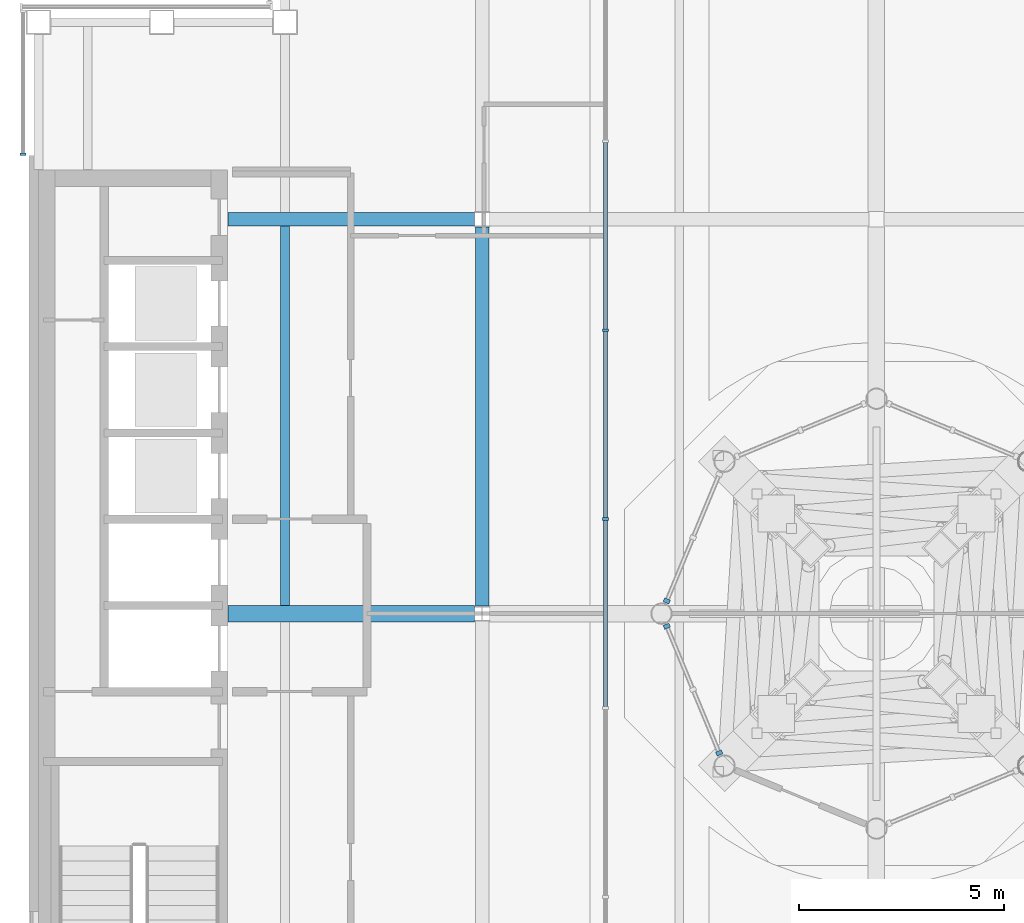
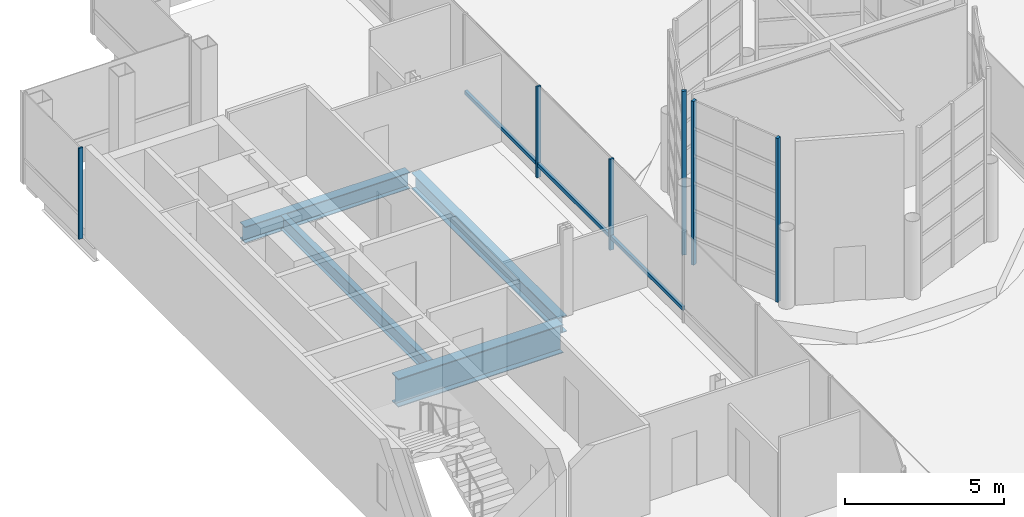
# One storey, part 7 of 32: 9 members, 4 beams, 4 elements without a shape of their own.
"""IFC4 building model written with IfcOpenShell, lengths in metres."""

from ifc_helpers import new_model, si_unit, direction, frame, origin, origin_2d, place, context, subcontext, project, spatial, rectangle, i_section, extrude, material, material_profile, profile_set, type_object, element, aggregate, save


model = new_model("IFC4")

# Units and contexts
model_context = context("Model", 3, precision=1e-05, world=origin(), true_north=direction((0.0, 1.0)))
body_context = subcontext(model_context, "Body", "Model", "MODEL_VIEW")
ifc_project = project(units=[si_unit("LENGTHUNIT", "METRE"), si_unit("AREAUNIT", "SQUARE_METRE"), si_unit("VOLUMEUNIT", "CUBIC_METRE"), si_unit("PLANEANGLEUNIT", "RADIAN"), si_unit("MASSUNIT", "GRAM", prefix="KILO")], contexts=[model_context])

# Site, building, storey
site_placement = place(None, origin())
site = spatial("IfcSite", under=ifc_project, at=site_placement, CompositionType="ELEMENT")
building_placement = place(site_placement, origin())
building = spatial("IfcBuilding", under=site, at=building_placement, Name="Cobrizo Arcos Hotel Tower", CompositionType="ELEMENT")
storey_placement = place(building_placement, frame((0.0, 0.0, 265.5)))
storey = spatial("IfcBuildingStorey", under=building, at=storey_placement, Name="L70", CompositionType="ELEMENT", Elevation=265.5)

# Curtain wall, member
ifc_material_1 = material(Name="Aluminium 6063-T6 anodised bronze", Category="aluminium")
curtain_wall_type_1 = type_object("IfcCurtainWallType", Name="CW-A guest facade", PredefinedType="NOTDEFINED", material=ifc_material_1)
curtain_wall_1_placement = place(storey_placement, origin())
curtain_wall_1 = element("IfcCurtainWall", 1, at=curtain_wall_1_placement, inside=storey, type_object=curtain_wall_type_1, Name="CW-A L70 W face", PredefinedType="NOTDEFINED")
ifc_material_profile_1 = material_profile(ifc_material_1, rectangle(XDim=0.14990234375, YDim=0.06005859375, at=origin_2d()), Name="CW-A mullion 150x60")
ifc_profile_set_1 = profile_set([ifc_material_profile_1], Name="Aluminium 6063-T6 anodised bronze")
member_type_1 = type_object("IfcMemberType", Name="CW-A mullion 150x60", PredefinedType="MULLION", material=ifc_profile_set_1)
member_1_placement = place(storey_placement, frame((-20.77490234375, 11.179931640625, 0.0), z_axis=(0.0, 0.0, 1.0), x_axis=(-1.0, 0.0, 0.0)))
member_1 = element("IfcMember", 2, at=member_1_placement, type_object=member_type_1, Name="CW-A mullion 2", PredefinedType="MULLION", context=body_context, shape_type="SweptSolid", body=[
    extrude(rectangle(XDim=0.14990234375, YDim=0.06005859375, at=origin_2d()), origin(), (0.0, 0.0, 1.0), 3.5),
])
aggregate(curtain_wall_1, [member_1])

# Curtain wall, members
curtain_wall_type_2 = type_object("IfcCurtainWallType", Name="CW-C arch infill and crown glazing", PredefinedType="NOTDEFINED", material=ifc_material_1)
curtain_wall_2_placement = place(storey_placement, origin())
curtain_wall_2 = element("IfcCurtainWall", 3, at=curtain_wall_2_placement, inside=storey, type_object=curtain_wall_type_2, Name="CW-C L70 E face", PredefinedType="NOTDEFINED")
ifc_material_profile_2 = material_profile(ifc_material_1, rectangle(XDim=0.14990234375, YDim=0.070068359375, at=origin_2d()), Name="CW-C mullion 150x70")
ifc_profile_set_2 = profile_set([ifc_material_profile_2], Name="Aluminium 6063-T6 anodised bronze")
member_type_2 = type_object("IfcMemberType", Name="CW-C mullion 150x70", PredefinedType="MULLION", material=ifc_profile_set_2)
member_2_placement = place(storey_placement, frame((-6.59912109375, 2.300048828125, 0.0), z_axis=(0.0, 0.0, 1.0), x_axis=(1.0, 0.0, 0.0)))
member_2 = element("IfcMember", 4, at=member_2_placement, type_object=member_type_2, Name="CW-C mullion 6", PredefinedType="MULLION", context=body_context, shape_type="SweptSolid", body=[
    extrude(rectangle(XDim=0.14990234375, YDim=0.070068359375, at=origin_2d()), origin(), (0.0, 0.0, 1.0), 3.5),
])
member_3_placement = place(storey_placement, frame((-6.59912109375, 6.89990234375, 0.0), z_axis=(0.0, 0.0, 1.0), x_axis=(1.0, 0.0, 0.0)))
member_3 = element("IfcMember", 5, at=member_3_placement, type_object=member_type_2, Name="CW-C mullion 7", PredefinedType="MULLION", context=body_context, shape_type="SweptSolid", body=[
    extrude(rectangle(XDim=0.14990234375, YDim=0.070068359375, at=origin_2d()), origin(), (0.0, 0.0, 1.0), 3.5),
])
ifc_material_profile_3 = material_profile(ifc_material_1, rectangle(XDim=0.10009765625, YDim=0.139892578125, at=origin_2d()), Name="CW-C transom 140x100")
ifc_profile_set_3 = profile_set([ifc_material_profile_3], Name="Aluminium 6063-T6 anodised bronze")
member_type_3 = type_object("IfcMemberType", Name="CW-C transom 140x100", PredefinedType="USERDEFINED", material=ifc_profile_set_3)
member_4_placement = place(storey_placement, frame((-6.59912109375, -2.264892578125, 0.5), z_axis=(0.0, 1.0, 0.0), x_axis=(-1.0, 0.0, 0.0)))
member_4 = element("IfcMember", 6, at=member_4_placement, type_object=member_type_3, Name="CW-C transom 2205", ObjectType="TRANSOM", PredefinedType="USERDEFINED", context=body_context, shape_type="SweptSolid", body=[
    extrude(rectangle(XDim=0.10009765625, YDim=0.139892578125, at=origin_2d()), origin(), (0.0, 0.0, 1.0), 4.52978515625),
])
member_5_placement = place(storey_placement, frame((-6.59912109375, 2.3349609375, 0.5), z_axis=(0.0, 1.0, 0.0), x_axis=(-1.0, 0.0, 0.0)))
member_5 = element("IfcMember", 7, at=member_5_placement, type_object=member_type_3, Name="CW-C transom 2206", ObjectType="TRANSOM", PredefinedType="USERDEFINED", context=body_context, shape_type="SweptSolid", body=[
    extrude(rectangle(XDim=0.10009765625, YDim=0.139892578125, at=origin_2d()), origin(), (0.0, 0.0, 1.0), 4.530029296875),
])
member_6_placement = place(storey_placement, frame((-6.59912109375, 6.93505859375, 0.5), z_axis=(0.0, 1.0, 0.0), x_axis=(-1.0, 0.0, 0.0)))
member_6 = element("IfcMember", 8, at=member_6_placement, type_object=member_type_3, Name="CW-C transom 2207", ObjectType="TRANSOM", PredefinedType="USERDEFINED", context=body_context, shape_type="SweptSolid", body=[
    extrude(rectangle(XDim=0.10009765625, YDim=0.139892578125, at=origin_2d()), origin(), (0.0, 0.0, 1.0), 4.530029296875),
])
aggregate(curtain_wall_2, [member_2, member_3, member_4, member_5, member_6])

# Curtain wall, member
curtain_wall_type_3 = type_object("IfcCurtainWallType", Name="CW-D plant louvre wall", PredefinedType="NOTDEFINED", material=ifc_material_1)
curtain_wall_3_placement = place(storey_placement, origin())
curtain_wall_3 = element("IfcCurtainWall", 9, at=curtain_wall_3_placement, inside=storey, type_object=curtain_wall_type_3, Name="CW-D drum louvre wall 4", PredefinedType="NOTDEFINED")
ifc_material_profile_4 = material_profile(ifc_material_1, rectangle(XDim=0.14990234375, YDim=0.10009765625, at=origin_2d()), Name="CW-D mullion 150x100")
ifc_profile_set_4 = profile_set([ifc_material_profile_4], Name="Aluminium 6063-T6 anodised bronze")
member_type_4 = type_object("IfcMemberType", Name="CW-D mullion 150x100", PredefinedType="MULLION", material=ifc_profile_set_4)
member_7_placement = place(storey_placement, frame((-5.104736328125, 0.30859375, 0.5), z_axis=(0.0, 0.0, 1.0), x_axis=(-0.923879532511, 0.382683432365, 0.0)))
member_7 = element("IfcMember", 10, at=member_7_placement, type_object=member_type_4, Name="CW-D mullion 3", PredefinedType="MULLION", context=body_context, shape_type="SweptSolid", body=[
    extrude(rectangle(XDim=0.14990234375, YDim=0.10009765625, at=origin_2d()), origin(), (0.0, 0.0, 1.0), 6.300048828125),
])
aggregate(curtain_wall_3, [member_7])

# Curtain wall, members
curtain_wall_4_placement = place(storey_placement, origin())
curtain_wall_4 = element("IfcCurtainWall", 11, at=curtain_wall_4_placement, inside=storey, type_object=curtain_wall_type_3, Name="CW-D drum louvre wall 5", PredefinedType="NOTDEFINED")
member_8_placement = place(storey_placement, frame((-5.104736328125, -0.30859375, 0.5), z_axis=(0.0, 0.0, 1.0), x_axis=(-0.923879532511, -0.382683432365, 0.0)))
member_8 = element("IfcMember", 12, at=member_8_placement, type_object=member_type_4, Name="CW-D mullion 1", PredefinedType="MULLION", context=body_context, shape_type="SweptSolid", body=[
    extrude(rectangle(XDim=0.14990234375, YDim=0.10009765625, at=origin_2d()), origin(), (0.0, 0.0, 1.0), 6.300048828125),
])
member_9_placement = place(storey_placement, frame((-3.827880859375, -3.391357421875, 0.5), z_axis=(0.0, 0.0, 1.0), x_axis=(-0.923879532511, -0.382683432365, 0.0)))
member_9 = element("IfcMember", 13, at=member_9_placement, type_object=member_type_4, Name="CW-D mullion 3", PredefinedType="MULLION", context=body_context, shape_type="SweptSolid", body=[
    extrude(rectangle(XDim=0.14990234375, YDim=0.10009765625, at=origin_2d()), origin(), (0.0, 0.0, 1.0), 6.300048828125),
])
aggregate(curtain_wall_4, [member_8, member_9])

# Beams
ifc_material_2 = material(Name="Steel ASTM A992 Grade 50", Category="steel")
ifc_material_profile_5 = material_profile(ifc_material_2, i_section(OverallWidth=0.209228515625, OverallDepth=0.533447265625, WebThickness=0.01025390625, FlangeThickness=0.015625, at=origin_2d()), Name="W21X62")
ifc_profile_set_5 = profile_set([ifc_material_profile_5], Name="Steel ASTM A992 Grade 50")
beam_type_1 = type_object("IfcBeamType", Name="W21X62 joist", PredefinedType="JOIST", material=ifc_profile_set_5)
beam_1_placement = place(storey_placement, frame((-14.39990234375, 0.20068359375, -0.5166015625), z_axis=(0.0, 1.0, 0.0), x_axis=(-1.0, 0.0, 0.0)))
element("IfcBeam", 14, at=beam_1_placement, inside=storey, type_object=beam_type_1, Name="Floor joist J1, L70, no. 005", PredefinedType="JOIST", context=body_context, shape_type="SweptSolid", body=[
    extrude(i_section(OverallWidth=0.209228515625, OverallDepth=0.533447265625, WebThickness=0.01025390625, FlangeThickness=0.015625, at=origin_2d()), origin(), (0.0, 0.0, 1.0), 9.2353515625),
])
ifc_material_profile_6 = material_profile(ifc_material_2, i_section(OverallWidth=0.32763671875, OverallDepth=0.622314453125, WebThickness=0.015380859375, FlangeThickness=0.0244140625, at=origin_2d()), Name="W24X131")
ifc_profile_set_6 = profile_set([ifc_material_profile_6], Name="Steel ASTM A992 Grade 50")
beam_type_2 = type_object("IfcBeamType", Name="W24X131 girder", PredefinedType="BEAM", material=ifc_profile_set_6)
beam_2_placement = place(storey_placement, frame((-15.7900390625, 9.60009765625, -0.56103515625), z_axis=(1.0, 0.0, 0.0), x_axis=(0.0, 1.0, 0.0)))
element("IfcBeam", 15, at=beam_2_placement, inside=storey, type_object=beam_type_2, Name="Floor girder G1, L70, no. 005", PredefinedType="BEAM", context=body_context, shape_type="SweptSolid", body=[
    extrude(i_section(OverallWidth=0.32763671875, OverallDepth=0.622314453125, WebThickness=0.015380859375, FlangeThickness=0.0244140625, at=origin_2d()), origin(), (0.0, 0.0, 1.0), 6.005859375),
])
beam_3_placement = place(storey_placement, frame((-9.60009765625, 0.18408203125, -0.56103515625), z_axis=(0.0, 1.0, 0.0), x_axis=(-1.0, 0.0, 0.0)))
element("IfcBeam", 16, at=beam_3_placement, inside=storey, type_object=beam_type_2, Name="Floor girder G1, L70, no. 011", PredefinedType="BEAM", context=body_context, shape_type="SweptSolid", body=[
    extrude(i_section(OverallWidth=0.32763671875, OverallDepth=0.622314453125, WebThickness=0.015380859375, FlangeThickness=0.0244140625, at=origin_2d()), origin(), (0.0, 0.0, 1.0), 9.231689453125),
])
ifc_material_profile_7 = material_profile(ifc_material_2, i_section(OverallWidth=0.4013671875, OverallDepth=1.089599609375, WebThickness=0.01806640625, FlangeThickness=0.031005859375, at=origin_2d()), Name="W44X230")
ifc_profile_set_7 = profile_set([ifc_material_profile_7], Name="Steel ASTM A992 Grade 50")
beam_type_3 = type_object("IfcBeamType", Name="W44X230 crown transfer girder", PredefinedType="BEAM", material=ifc_profile_set_7)
beam_4_placement = place(storey_placement, frame((-15.7900390625, 0.0, -0.794921875), z_axis=(1.0, 0.0, 0.0), x_axis=(0.0, 1.0, 0.0)))
element("IfcBeam", 17, at=beam_4_placement, inside=storey, type_object=beam_type_3, Name="Crown transfer girder CG1, L70, no. 001", PredefinedType="BEAM", context=body_context, shape_type="SweptSolid", body=[
    extrude(i_section(OverallWidth=0.4013671875, OverallDepth=1.089599609375, WebThickness=0.01806640625, FlangeThickness=0.031005859375, at=origin_2d()), origin(), (0.0, 0.0, 1.0), 6.005859375),
])

save(model, "model.ifc")
